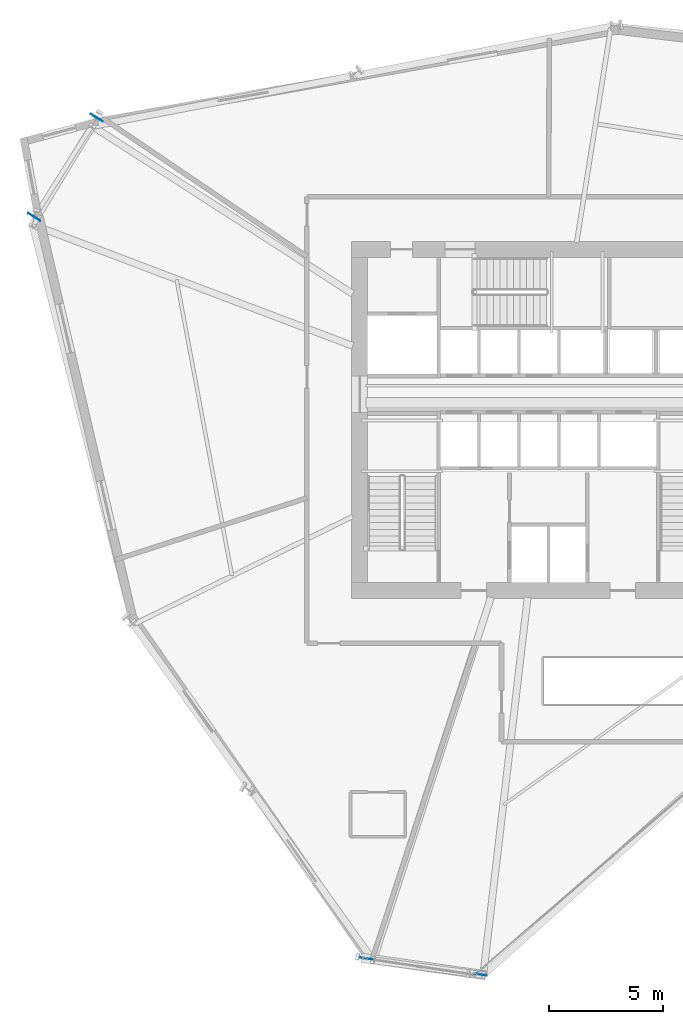
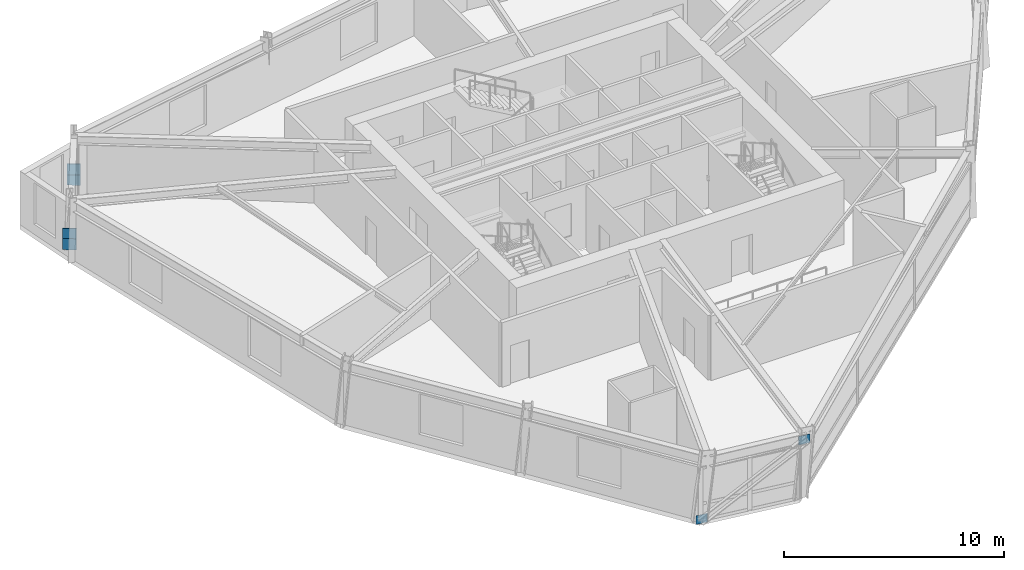
# One storey, part 9 of 16: 6 plates.
"""IFC4 building model written with IfcOpenShell, lengths in metres."""

from ifc_helpers import new_model, si_unit, direction, frame, origin, origin_2d, place, context, subcontext, project, spatial, rectangle, extrude, source, transform, mapped, material, type_object, element, save


model = new_model("IFC4")

# Units and contexts
model_context = context("Model", 3, precision=1e-05, world=origin(), true_north=direction((0.0, 1.0)))
body_context = subcontext(model_context, "Body", "Model", "MODEL_VIEW")
ifc_project = project(units=[si_unit("LENGTHUNIT", "METRE"), si_unit("AREAUNIT", "SQUARE_METRE"), si_unit("VOLUMEUNIT", "CUBIC_METRE"), si_unit("PLANEANGLEUNIT", "RADIAN"), si_unit("MASSUNIT", "GRAM", prefix="KILO")], contexts=[model_context])

# Site, building, storey
site_placement = place(None, origin())
site = spatial("IfcSite", under=ifc_project, at=site_placement, CompositionType="ELEMENT")
building_placement = place(site_placement, origin())
building = spatial("IfcBuilding", under=site, at=building_placement, Name="Olszyna Solenne Hotel", CompositionType="ELEMENT")
storey_placement = place(building_placement, frame((0.0, 0.0, 138.10009765625)))
storey = spatial("IfcBuildingStorey", under=building, at=storey_placement, Name="L36", CompositionType="ELEMENT", Elevation=138.10009765625)

# Plates
ifc_material_1 = material(Name="Steel S460M", Category="steel")
plate_type_1 = type_object("IfcPlateType", Name="GP-CAP2", PredefinedType="USERDEFINED", material=ifc_material_1)
shared_shape_1 = source(origin(), body_context, "Body", "SweptSolid", [
    extrude(rectangle(XDim=0.030029296875, YDim=0.6201171875, at=origin_2d()), origin(), (0.0, 0.0, 1.0), 0.6201171875),
])
for number, where, z_axis, x_axis, name in (
    (1, (18.26708984375, 39.79833984375, 1.039794921875), (0.0, 0.0, 1.0), (-0.532876276071, -0.846193166128, 0.0), "Hollow section end-cap plate GP-CAP2 CP-PR-M-L36-PR1-1"),
    (2, (15.5380859375, 35.464111328125, 1.039794921875), (0.0, 0.0, 1.0), (-0.532876276071, -0.846193166128, 0.0), "Hollow section end-cap plate GP-CAP2 CP-PR-M-L36-PR1-2"),
    (3, (18.26708984375, 39.79833984375, 0.4697265625), (0.0, 0.0, 1.0), (-0.532876276071, -0.846193166128, 0.0), "Hollow section end-cap plate GP-CAP2 CP-PR-M-L36-PR2-1"),
    (4, (15.5380859375, 35.464111328125, 0.4697265625), (0.0, 0.0, 1.0), (-0.532876276071, -0.846193166128, 0.0), "Hollow section end-cap plate GP-CAP2 CP-PR-M-L36-PR2-2"),
):
    element("IfcPlate", number, at=place(storey_placement, frame(where, z_axis=z_axis, x_axis=x_axis)), inside=storey, type_object=plate_type_1, Name=name, ObjectType="GUSSET_PLATE", PredefinedType="USERDEFINED", context=body_context, shape_type="MappedRepresentation", body=[
        mapped(shared_shape_1, transform((0.0, 0.0, 0.0), x_axis=(1.0, 0.0, 0.0), y_axis=(0.0, 1.0, 0.0), z_axis=(0.0, 0.0, 1.0), scale=1.0)),
    ])
ifc_material_2 = material(Name="Steel S355J2", Category="steel")
plate_type_2 = type_object("IfcPlateType", Name="GP-ND2", PredefinedType="USERDEFINED", material=ifc_material_2)
shared_shape_2 = source(origin(), body_context, "Body", "SweptSolid", [
    extrude(rectangle(XDim=0.56005859375, YDim=0.02001953125, at=origin_2d()), origin(), (0.0, 0.0, 1.0), 0.47998046875),
])
for number, where, z_axis, x_axis, name in (
    (5, (30.052490234375, 3.06982421875, -0.15673828125), (0.0, 0.0, 1.0), (0.990170666273, -0.139864404519, 0.0), "Brace end connection gusset plate GP-ND2 EP-BR-L36-3-1"),
    (6, (35.03271484375, 2.36669921875, 2.9365234375), (0.0, 0.0, 1.0), (0.990170666273, -0.139864404519, 0.0), "Brace end connection gusset plate GP-ND2 EP-BR-L36-3-2"),
):
    element("IfcPlate", number, at=place(storey_placement, frame(where, z_axis=z_axis, x_axis=x_axis)), inside=storey, type_object=plate_type_2, Name=name, ObjectType="GUSSET_PLATE", PredefinedType="USERDEFINED", context=body_context, shape_type="MappedRepresentation", body=[
        mapped(shared_shape_2, transform((0.0, 0.0, 0.0), x_axis=(1.0, 0.0, 0.0), y_axis=(0.0, 1.0, 0.0), z_axis=(0.0, 0.0, 1.0), scale=1.0)),
    ])

save(model, "model.ifc")
